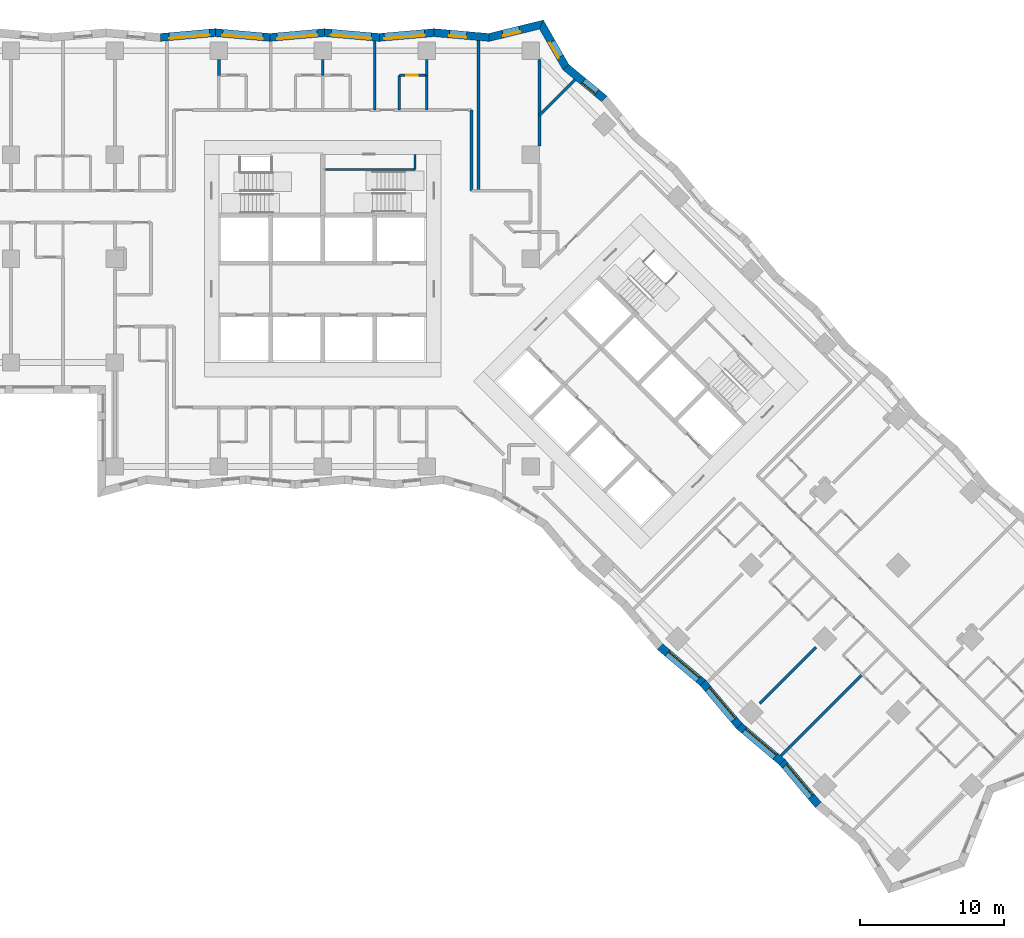
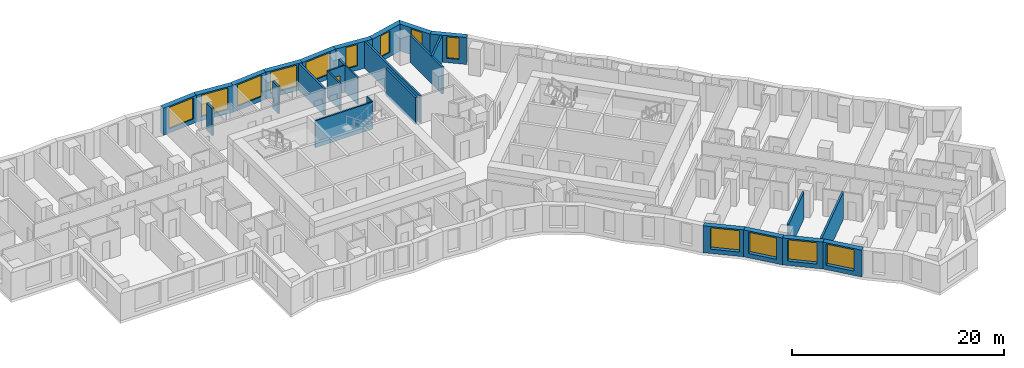
# One storey, part 7 of 13: 28 walls, 13 windows, 1 door, 14 openings.
"""IFC4 building model written with IfcOpenShell, lengths in metres."""

from ifc_helpers import new_model, si_unit, direction, frame, frame_2d, origin, place, context, subcontext, project, spatial, polyline, rectangle, outline, extrude, material, layer, layer_set, type_object, element, fill, save


model = new_model("IFC4")

# Units and contexts
model_context = context("Model", 3, precision=1e-05, world=origin(), true_north=direction((0.0, 1.0)))
body_context = subcontext(model_context, "Body", "Model", "MODEL_VIEW")
ifc_project = project(units=[si_unit("LENGTHUNIT", "METRE"), si_unit("AREAUNIT", "SQUARE_METRE"), si_unit("VOLUMEUNIT", "CUBIC_METRE"), si_unit("PLANEANGLEUNIT", "RADIAN"), si_unit("MASSUNIT", "GRAM", prefix="KILO")], contexts=[model_context])

# Site, building, storey
site_placement = place(None, origin())
site = spatial("IfcSite", under=ifc_project, at=site_placement, CompositionType="ELEMENT")
building_placement = place(site_placement, origin())
building = spatial("IfcBuilding", under=site, at=building_placement, Name="Windrow Commons", CompositionType="ELEMENT")
storey_placement = place(building_placement, frame((0.0, 0.0, 30.4)))
storey = spatial("IfcBuildingStorey", under=building, at=storey_placement, Name="L07", CompositionType="ELEMENT", Elevation=30.4)

# Wall, opening, window
ifc_material_1 = material(Name="Brick masonry, red clay brick", Category="masonry")
ifc_layer_1 = layer(ifc_material_1, 0.55)
ifc_layer_set_1 = layer_set([ifc_layer_1], Name="Brick facade wall 550")
wall_type_1 = type_object("IfcWallType", Name="Brick facade wall 550", PredefinedType="SOLIDWALL", material=ifc_layer_set_1)
wall_1_placement = place(storey_placement, frame((84.3136, 68.6594, 0.0), z_axis=(0.0, 0.0, 1.0), x_axis=(-0.7715607103, 0.6361556966, 0.0)))
wall_1 = element("IfcWall", 1, at=wall_1_placement, inside=storey, type_object=wall_type_1, Name="Brick facade wall L07 21", PredefinedType="SOLIDWALL", context=body_context, shape_type="SweptSolid", body=[
    extrude(outline(polyline([(-0.0265, -0.275), (3.4195, -0.275), (3.5198, 0.275), (0.0265, 0.275), (-0.0265, -0.275)])), origin(), (0.0, 0.0, 1.0), 3.1),
])
opening_1_placement = place(wall_1_placement, frame((0.7077, 0.0, 0.5)))
opening_1 = element("IfcOpeningElement", 2, at=opening_1_placement, cuts=wall_1, Name="Opening W7D", PredefinedType="OPENING", context=body_context, shape_type="SweptSolid", body=[
    extrude(rectangle(XDim=1.2, YDim=2.45, at=frame_2d((0.6, 1.225))), frame((0.0, 0.285, 0.0), z_axis=(0.0, -1.0, 0.0), x_axis=(1.0, 0.0, 0.0)), (0.0, 0.0, 1.0), 0.57),
])
ifc_material_2 = material(Name="Clear float glass in anodised aluminium frame", Category="aluminium")
window_type_1 = type_object("IfcWindowType", Name="Window W7 notch 1200x2450", PartitioningType="SINGLE_PANEL", PredefinedType="WINDOW", material=ifc_material_2)
window_1_placement = place(opening_1_placement, origin())
window_1 = element("IfcWindow", 3, at=window_1_placement, inside=storey, type_object=window_type_1, Name="Window L07 21.1", OverallHeight=2.45, OverallWidth=1.2, PartitioningType="SINGLE_PANEL", PredefinedType="WINDOW", context=body_context, shape_type="SweptSolid", body=[
    extrude(rectangle(XDim=1.2, YDim=2.45, at=frame_2d((0.6, 1.225))), frame((0.0, 0.155, 0.0), z_axis=(0.0, -1.0, 0.0), x_axis=(1.0, 0.0, 0.0)), (0.0, 0.0, 1.0), 0.06),
])
fill(opening_1, window_1)

wall_2_placement = place(storey_placement, frame((81.6366, 70.8666, 0.0), z_axis=(0.0, 0.0, 1.0), x_axis=(-0.497425467, 0.8675067174, 0.0)))
wall_2 = element("IfcWall", 4, at=wall_2_placement, inside=storey, type_object=wall_type_1, Name="Brick facade wall L07 22", PredefinedType="SOLIDWALL", context=body_context, shape_type="SweptSolid", body=[
    extrude(outline(polyline([(0.0501, -0.275), (3.6041, -0.275), (3.1899, 0.275), (-0.0501, 0.275), (0.0501, -0.275)])), origin(), (0.0, 0.0, 1.0), 3.1),
])
opening_2_placement = place(wall_2_placement, frame((0.8077, 0.0, 0.5)))
opening_2 = element("IfcOpeningElement", 5, at=opening_2_placement, cuts=wall_2, Name="Opening W7D", PredefinedType="OPENING", context=body_context, shape_type="SweptSolid", body=[
    extrude(rectangle(XDim=1.2, YDim=2.45, at=frame_2d((0.6, 1.225))), frame((0.0, 0.285, 0.0), z_axis=(0.0, -1.0, 0.0), x_axis=(1.0, 0.0, 0.0)), (0.0, 0.0, 1.0), 0.57),
])
window_2_placement = place(opening_2_placement, origin())
window_2 = element("IfcWindow", 6, at=window_2_placement, inside=storey, type_object=window_type_1, Name="Window L07 22.1", OverallHeight=2.45, OverallWidth=1.2, PartitioningType="SINGLE_PANEL", PredefinedType="WINDOW", context=body_context, shape_type="SweptSolid", body=[
    extrude(rectangle(XDim=1.2, YDim=2.45, at=frame_2d((0.6, 1.225))), frame((0.0, 0.155, 0.0), z_axis=(0.0, -1.0, 0.0), x_axis=(1.0, 0.0, 0.0)), (0.0, 0.0, 1.0), 0.06),
])
fill(opening_2, window_2)

wall_3_placement = place(storey_placement, frame((79.9468, 73.8136, 0.0), z_axis=(0.0, 0.0, 1.0), x_axis=(-0.9711610885, -0.2384242862, 0.0)))
wall_3 = element("IfcWall", 7, at=wall_3_placement, inside=storey, type_object=wall_type_1, Name="Brick facade wall L07 23", PredefinedType="SOLIDWALL", context=body_context, shape_type="SweptSolid", body=[
    extrude(outline(polyline([(-0.2071, -0.275), (3.6937, -0.275), (3.7846, 0.275), (0.2071, 0.275), (-0.2071, -0.275)])), origin(), (0.0, 0.0, 1.0), 3.1),
])
opening_3_placement = place(wall_3_placement, frame((1.554, 0.0, 0.5)))
opening_3 = element("IfcOpeningElement", 8, at=opening_3_placement, cuts=wall_3, Name="Opening W7D", PredefinedType="OPENING", context=body_context, shape_type="SweptSolid", body=[
    extrude(rectangle(XDim=1.2, YDim=2.45, at=frame_2d((0.6, 1.225))), frame((0.0, 0.285, 0.0), z_axis=(0.0, -1.0, 0.0), x_axis=(1.0, 0.0, 0.0)), (0.0, 0.0, 1.0), 0.57),
])
window_3_placement = place(opening_3_placement, origin())
window_3 = element("IfcWindow", 9, at=window_3_placement, inside=storey, type_object=window_type_1, Name="Window L07 23.1", OverallHeight=2.45, OverallWidth=1.2, PartitioningType="SINGLE_PANEL", PredefinedType="WINDOW", context=body_context, shape_type="SweptSolid", body=[
    extrude(rectangle(XDim=1.2, YDim=2.45, at=frame_2d((0.6, 1.225))), frame((0.0, 0.155, 0.0), z_axis=(0.0, -1.0, 0.0), x_axis=(1.0, 0.0, 0.0)), (0.0, 0.0, 1.0), 0.06),
])
fill(opening_3, window_3)

wall_4_placement = place(storey_placement, frame((76.3155, 72.9221, 0.0), z_axis=(0.0, 0.0, 1.0), x_axis=(-0.9962265436, 0.0867909782, 0.0)))
wall_4 = element("IfcWall", 10, at=wall_4_placement, inside=storey, type_object=wall_type_1, Name="Brick facade wall L07 24", PredefinedType="SOLIDWALL", context=body_context, shape_type="SweptSolid", body=[
    extrude(outline(polyline([(0.0455, -0.275), (3.8481, -0.275), (3.8002, 0.275), (-0.0455, 0.275), (0.0455, -0.275)])), origin(), (0.0, 0.0, 1.0), 3.1),
])
opening_4_placement = place(wall_4_placement, frame((1.5592, 0.0, 0.5)))
opening_4 = element("IfcOpeningElement", 11, at=opening_4_placement, cuts=wall_4, Name="Opening W7D", PredefinedType="OPENING", context=body_context, shape_type="SweptSolid", body=[
    extrude(rectangle(XDim=1.2, YDim=2.45, at=frame_2d((0.6, 1.225))), frame((0.0, 0.285, 0.0), z_axis=(0.0, -1.0, 0.0), x_axis=(1.0, 0.0, 0.0)), (0.0, 0.0, 1.0), 0.57),
])
window_4_placement = place(opening_4_placement, origin())
window_4 = element("IfcWindow", 12, at=window_4_placement, inside=storey, type_object=window_type_1, Name="Window L07 24.1", OverallHeight=2.45, OverallWidth=1.2, PartitioningType="SINGLE_PANEL", PredefinedType="WINDOW", context=body_context, shape_type="SweptSolid", body=[
    extrude(rectangle(XDim=1.2, YDim=2.45, at=frame_2d((0.6, 1.225))), frame((0.0, 0.155, 0.0), z_axis=(0.0, -1.0, 0.0), x_axis=(1.0, 0.0, 0.0)), (0.0, 0.0, 1.0), 0.06),
])
fill(opening_4, window_4)

wall_5_placement = place(storey_placement, frame((72.5058, 73.254, 0.0), z_axis=(0.0, 0.0, 1.0), x_axis=(-0.9962273538, -0.0867816769, 0.0)))
wall_5 = element("IfcWall", 13, at=wall_5_placement, inside=storey, type_object=wall_type_1, Name="Brick facade wall L07 25", PredefinedType="SOLIDWALL", context=body_context, shape_type="SweptSolid", body=[
    extrude(outline(polyline([(-0.024, -0.275), (3.7787, -0.275), (3.8266, 0.275), (0.024, 0.275), (-0.024, -0.275)])), origin(), (0.0, 0.0, 1.0), 3.1),
])
opening_5_placement = place(wall_5_placement, frame((0.6552, 0.0, 0.5)))
opening_5 = element("IfcOpeningElement", 14, at=opening_5_placement, cuts=wall_5, Name="Opening W1T", PredefinedType="OPENING", context=body_context, shape_type="SweptSolid", body=[
    extrude(rectangle(XDim=2.8, YDim=2.45, at=frame_2d((1.4, 1.225))), frame((0.0, 0.285, 0.0), z_axis=(0.0, -1.0, 0.0), x_axis=(1.0, 0.0, 0.0)), (0.0, 0.0, 1.0), 0.57),
])
ifc_material_3 = material(Name="Clear float glass in anodised aluminium frame", Category="aluminium")
window_type_2 = type_object("IfcWindowType", Name="Window W1T bedroom 2800x2450", PartitioningType="SINGLE_PANEL", PredefinedType="WINDOW", material=ifc_material_3)
window_5_placement = place(opening_5_placement, origin())
window_5 = element("IfcWindow", 15, at=window_5_placement, inside=storey, type_object=window_type_2, Name="Window L07 25.1", OverallHeight=2.45, OverallWidth=2.8, PartitioningType="SINGLE_PANEL", PredefinedType="WINDOW", context=body_context, shape_type="SweptSolid", body=[
    extrude(rectangle(XDim=2.8, YDim=2.45, at=frame_2d((1.4, 1.225))), frame((0.0, 0.155, 0.0), z_axis=(0.0, -1.0, 0.0), x_axis=(1.0, 0.0, 0.0)), (0.0, 0.0, 1.0), 0.06),
])
fill(opening_5, window_5)

wall_6_placement = place(storey_placement, frame((68.7175, 72.924, 0.0), z_axis=(0.0, 0.0, 1.0), x_axis=(-0.9962273538, 0.0867816769, 0.0)))
wall_6 = element("IfcWall", 16, at=wall_6_placement, inside=storey, type_object=wall_type_1, Name="Brick facade wall L07 26", PredefinedType="SOLIDWALL", context=body_context, shape_type="SweptSolid", body=[
    extrude(outline(polyline([(0.024, -0.275), (3.8266, -0.275), (3.7787, 0.275), (-0.024, 0.275), (0.024, -0.275)])), origin(), (0.0, 0.0, 1.0), 3.1),
])
opening_6_placement = place(wall_6_placement, frame((0.5487, 0.0, 0.5)))
opening_6 = element("IfcOpeningElement", 17, at=opening_6_placement, cuts=wall_6, Name="Opening W1T", PredefinedType="OPENING", context=body_context, shape_type="SweptSolid", body=[
    extrude(rectangle(XDim=2.8, YDim=2.45, at=frame_2d((1.4, 1.225))), frame((0.0, 0.285, 0.0), z_axis=(0.0, -1.0, 0.0), x_axis=(1.0, 0.0, 0.0)), (0.0, 0.0, 1.0), 0.57),
])
window_6_placement = place(opening_6_placement, origin())
window_6 = element("IfcWindow", 18, at=window_6_placement, inside=storey, type_object=window_type_2, Name="Window L07 26.1", OverallHeight=2.45, OverallWidth=2.8, PartitioningType="SINGLE_PANEL", PredefinedType="WINDOW", context=body_context, shape_type="SweptSolid", body=[
    extrude(rectangle(XDim=2.8, YDim=2.45, at=frame_2d((1.4, 1.225))), frame((0.0, 0.155, 0.0), z_axis=(0.0, -1.0, 0.0), x_axis=(1.0, 0.0, 0.0)), (0.0, 0.0, 1.0), 0.06),
])
fill(opening_6, window_6)

wall_7_placement = place(storey_placement, frame((64.9292, 73.254, 0.0), z_axis=(0.0, 0.0, 1.0), x_axis=(-0.9962271558, -0.0867839505, 0.0)))
wall_7 = element("IfcWall", 19, at=wall_7_placement, inside=storey, type_object=wall_type_1, Name="Brick facade wall L07 27", PredefinedType="SOLIDWALL", context=body_context, shape_type="SweptSolid", body=[
    extrude(outline(polyline([(-0.024, -0.275), (3.7787, -0.275), (3.8266, 0.275), (0.024, 0.275), (-0.024, -0.275)])), origin(), (0.0, 0.0, 1.0), 3.1),
])
opening_7_placement = place(wall_7_placement, frame((0.5133, 0.0, 0.5)))
opening_7 = element("IfcOpeningElement", 20, at=opening_7_placement, cuts=wall_7, Name="Opening W1T", PredefinedType="OPENING", context=body_context, shape_type="SweptSolid", body=[
    extrude(rectangle(XDim=2.8, YDim=2.45, at=frame_2d((1.4, 1.225))), frame((0.0, 0.285, 0.0), z_axis=(0.0, -1.0, 0.0), x_axis=(1.0, 0.0, 0.0)), (0.0, 0.0, 1.0), 0.57),
])
window_7_placement = place(opening_7_placement, origin())
window_7 = element("IfcWindow", 21, at=window_7_placement, inside=storey, type_object=window_type_2, Name="Window L07 27.1", OverallHeight=2.45, OverallWidth=2.8, PartitioningType="SINGLE_PANEL", PredefinedType="WINDOW", context=body_context, shape_type="SweptSolid", body=[
    extrude(rectangle(XDim=2.8, YDim=2.45, at=frame_2d((1.4, 1.225))), frame((0.0, 0.155, 0.0), z_axis=(0.0, -1.0, 0.0), x_axis=(1.0, 0.0, 0.0)), (0.0, 0.0, 1.0), 0.06),
])
fill(opening_7, window_7)

wall_8_placement = place(storey_placement, frame((61.141, 72.924, 0.0), z_axis=(0.0, 0.0, 1.0), x_axis=(-0.9962273538, 0.0867816769, 0.0)))
wall_8 = element("IfcWall", 22, at=wall_8_placement, inside=storey, type_object=wall_type_1, Name="Brick facade wall L07 28", PredefinedType="SOLIDWALL", context=body_context, shape_type="SweptSolid", body=[
    extrude(outline(polyline([(0.024, -0.275), (3.8266, -0.275), (3.7787, 0.275), (-0.024, 0.275), (0.024, -0.275)])), origin(), (0.0, 0.0, 1.0), 3.1),
])
opening_8_placement = place(wall_8_placement, frame((0.4893, 0.0, 0.5)))
opening_8 = element("IfcOpeningElement", 23, at=opening_8_placement, cuts=wall_8, Name="Opening W1T", PredefinedType="OPENING", context=body_context, shape_type="SweptSolid", body=[
    extrude(rectangle(XDim=2.8, YDim=2.45, at=frame_2d((1.4, 1.225))), frame((0.0, 0.285, 0.0), z_axis=(0.0, -1.0, 0.0), x_axis=(1.0, 0.0, 0.0)), (0.0, 0.0, 1.0), 0.57),
])
window_8_placement = place(opening_8_placement, origin())
window_8 = element("IfcWindow", 24, at=window_8_placement, inside=storey, type_object=window_type_2, Name="Window L07 28.1", OverallHeight=2.45, OverallWidth=2.8, PartitioningType="SINGLE_PANEL", PredefinedType="WINDOW", context=body_context, shape_type="SweptSolid", body=[
    extrude(rectangle(XDim=2.8, YDim=2.45, at=frame_2d((1.4, 1.225))), frame((0.0, 0.155, 0.0), z_axis=(0.0, -1.0, 0.0), x_axis=(1.0, 0.0, 0.0)), (0.0, 0.0, 1.0), 0.06),
])
fill(opening_8, window_8)

wall_9_placement = place(storey_placement, frame((57.3527, 73.254, 0.0), z_axis=(0.0, 0.0, 1.0), x_axis=(-0.9962273538, -0.0867816769, 0.0)))
wall_9 = element("IfcWall", 25, at=wall_9_placement, inside=storey, type_object=wall_type_1, Name="Brick facade wall L07 29", PredefinedType="SOLIDWALL", context=body_context, shape_type="SweptSolid", body=[
    extrude(outline(polyline([(-0.024, -0.275), (3.7787, -0.275), (3.8266, 0.275), (0.024, 0.275), (-0.024, -0.275)])), origin(), (0.0, 0.0, 1.0), 3.1),
])
opening_9_placement = place(wall_9_placement, frame((0.3947, 0.0, 0.5)))
opening_9 = element("IfcOpeningElement", 26, at=opening_9_placement, cuts=wall_9, Name="Opening W1T", PredefinedType="OPENING", context=body_context, shape_type="SweptSolid", body=[
    extrude(rectangle(XDim=2.8, YDim=2.45, at=frame_2d((1.4, 1.225))), frame((0.0, 0.285, 0.0), z_axis=(0.0, -1.0, 0.0), x_axis=(1.0, 0.0, 0.0)), (0.0, 0.0, 1.0), 0.57),
])
window_9_placement = place(opening_9_placement, origin())
window_9 = element("IfcWindow", 27, at=window_9_placement, inside=storey, type_object=window_type_2, Name="Window L07 29.1", OverallHeight=2.45, OverallWidth=2.8, PartitioningType="SINGLE_PANEL", PredefinedType="WINDOW", context=body_context, shape_type="SweptSolid", body=[
    extrude(rectangle(XDim=2.8, YDim=2.45, at=frame_2d((1.4, 1.225))), frame((0.0, 0.155, 0.0), z_axis=(0.0, -1.0, 0.0), x_axis=(1.0, 0.0, 0.0)), (0.0, 0.0, 1.0), 0.06),
])
fill(opening_9, window_9)

wall_10_placement = place(storey_placement, frame((88.1611, 30.7184, 0.0), z_axis=(0.0, 0.0, 1.0), x_axis=(0.7645046987, -0.6446181549, 0.0)))
wall_10 = element("IfcWall", 28, at=wall_10_placement, inside=storey, type_object=wall_type_1, Name="Brick facade wall L07 58", PredefinedType="SOLIDWALL", context=body_context, shape_type="SweptSolid", body=[
    extrude(outline(polyline([(-0.0234, -0.275), (3.8695, -0.275), (3.9162, 0.275), (0.0234, 0.275), (-0.0234, -0.275)])), origin(), (0.0, 0.0, 1.0), 3.1),
])
opening_10_placement = place(wall_10_placement, frame((0.6838, 0.0, 0.5)))
opening_10 = element("IfcOpeningElement", 29, at=opening_10_placement, cuts=wall_10, Name="Opening W1T", PredefinedType="OPENING", context=body_context, shape_type="SweptSolid", body=[
    extrude(rectangle(XDim=2.8, YDim=2.45, at=frame_2d((1.4, 1.225))), frame((0.0, 0.285, 0.0), z_axis=(0.0, -1.0, 0.0), x_axis=(1.0, 0.0, 0.0)), (0.0, 0.0, 1.0), 0.57),
])
window_10_placement = place(opening_10_placement, origin())
window_10 = element("IfcWindow", 30, at=window_10_placement, inside=storey, type_object=window_type_2, Name="Window L07 58.1", OverallHeight=2.45, OverallWidth=2.8, PartitioningType="SINGLE_PANEL", PredefinedType="WINDOW", context=body_context, shape_type="SweptSolid", body=[
    extrude(rectangle(XDim=2.8, YDim=2.45, at=frame_2d((1.4, 1.225))), frame((0.0, 0.155, 0.0), z_axis=(0.0, -1.0, 0.0), x_axis=(1.0, 0.0, 0.0)), (0.0, 0.0, 1.0), 0.06),
])
fill(opening_10, window_10)

wall_11_placement = place(storey_placement, frame((91.1372, 28.209, 0.0), z_axis=(0.0, 0.0, 1.0), x_axis=(0.6446181549, -0.7645046987, 0.0)))
wall_11 = element("IfcWall", 31, at=wall_11_placement, inside=storey, type_object=wall_type_1, Name="Brick facade wall L07 59", PredefinedType="SOLIDWALL", context=body_context, shape_type="SweptSolid", body=[
    extrude(outline(polyline([(0.0234, -0.275), (3.9162, -0.275), (3.8695, 0.275), (-0.0234, 0.275), (0.0234, -0.275)])), origin(), (0.0, 0.0, 1.0), 3.1),
])
opening_11_placement = place(wall_11_placement, frame((0.5347, 0.0, 0.5)))
opening_11 = element("IfcOpeningElement", 32, at=opening_11_placement, cuts=wall_11, Name="Opening W1T", PredefinedType="OPENING", context=body_context, shape_type="SweptSolid", body=[
    extrude(rectangle(XDim=2.8, YDim=2.45, at=frame_2d((1.4, 1.225))), frame((0.0, 0.285, 0.0), z_axis=(0.0, -1.0, 0.0), x_axis=(1.0, 0.0, 0.0)), (0.0, 0.0, 1.0), 0.57),
])
window_11_placement = place(opening_11_placement, origin())
window_11 = element("IfcWindow", 33, at=window_11_placement, inside=storey, type_object=window_type_2, Name="Window L07 59.1", OverallHeight=2.45, OverallWidth=2.8, PartitioningType="SINGLE_PANEL", PredefinedType="WINDOW", context=body_context, shape_type="SweptSolid", body=[
    extrude(rectangle(XDim=2.8, YDim=2.45, at=frame_2d((1.4, 1.225))), frame((0.0, 0.155, 0.0), z_axis=(0.0, -1.0, 0.0), x_axis=(1.0, 0.0, 0.0)), (0.0, 0.0, 1.0), 0.06),
])
fill(opening_11, window_11)

wall_12_placement = place(storey_placement, frame((93.6466, 25.2329, 0.0), z_axis=(0.0, 0.0, 1.0), x_axis=(0.7645046987, -0.6446181549, 0.0)))
wall_12 = element("IfcWall", 34, at=wall_12_placement, inside=storey, type_object=wall_type_1, Name="Brick facade wall L07 60", PredefinedType="SOLIDWALL", context=body_context, shape_type="SweptSolid", body=[
    extrude(outline(polyline([(-0.0234, -0.275), (3.8695, -0.275), (3.9162, 0.275), (0.0234, 0.275), (-0.0234, -0.275)])), origin(), (0.0, 0.0, 1.0), 3.1),
])
opening_12_placement = place(wall_12_placement, frame((0.4757, 0.0, 0.5)))
opening_12 = element("IfcOpeningElement", 35, at=opening_12_placement, cuts=wall_12, Name="Opening W1T", PredefinedType="OPENING", context=body_context, shape_type="SweptSolid", body=[
    extrude(rectangle(XDim=2.8, YDim=2.45, at=frame_2d((1.4, 1.225))), frame((0.0, 0.285, 0.0), z_axis=(0.0, -1.0, 0.0), x_axis=(1.0, 0.0, 0.0)), (0.0, 0.0, 1.0), 0.57),
])
window_12_placement = place(opening_12_placement, origin())
window_12 = element("IfcWindow", 36, at=window_12_placement, inside=storey, type_object=window_type_2, Name="Window L07 60.1", OverallHeight=2.45, OverallWidth=2.8, PartitioningType="SINGLE_PANEL", PredefinedType="WINDOW", context=body_context, shape_type="SweptSolid", body=[
    extrude(rectangle(XDim=2.8, YDim=2.45, at=frame_2d((1.4, 1.225))), frame((0.0, 0.155, 0.0), z_axis=(0.0, -1.0, 0.0), x_axis=(1.0, 0.0, 0.0)), (0.0, 0.0, 1.0), 0.06),
])
fill(opening_12, window_12)

wall_13_placement = place(storey_placement, frame((96.6227, 22.7235, 0.0), z_axis=(0.0, 0.0, 1.0), x_axis=(0.6446181549, -0.7645046987, 0.0)))
wall_13 = element("IfcWall", 37, at=wall_13_placement, inside=storey, type_object=wall_type_1, Name="Brick facade wall L07 61", PredefinedType="SOLIDWALL", context=body_context, shape_type="SweptSolid", body=[
    extrude(outline(polyline([(0.0234, -0.275), (3.9162, -0.275), (3.8695, 0.275), (-0.0234, 0.275), (0.0234, -0.275)])), origin(), (0.0, 0.0, 1.0), 3.1),
])
opening_13_placement = place(wall_13_placement, frame((0.3241, 0.0, 0.5)))
opening_13 = element("IfcOpeningElement", 38, at=opening_13_placement, cuts=wall_13, Name="Opening W1T", PredefinedType="OPENING", context=body_context, shape_type="SweptSolid", body=[
    extrude(rectangle(XDim=2.8, YDim=2.45, at=frame_2d((1.4, 1.225))), frame((0.0, 0.285, 0.0), z_axis=(0.0, -1.0, 0.0), x_axis=(1.0, 0.0, 0.0)), (0.0, 0.0, 1.0), 0.57),
])
window_13_placement = place(opening_13_placement, origin())
window_13 = element("IfcWindow", 39, at=window_13_placement, inside=storey, type_object=window_type_2, Name="Window L07 61.1", OverallHeight=2.45, OverallWidth=2.8, PartitioningType="SINGLE_PANEL", PredefinedType="WINDOW", context=body_context, shape_type="SweptSolid", body=[
    extrude(rectangle(XDim=2.8, YDim=2.45, at=frame_2d((1.4, 1.225))), frame((0.0, 0.155, 0.0), z_axis=(0.0, -1.0, 0.0), x_axis=(1.0, 0.0, 0.0)), (0.0, 0.0, 1.0), 0.06),
])
fill(opening_13, window_13)

# Walls
ifc_material_4 = material(Name="Blockwork partition", Category="masonry")
ifc_layer_2 = layer(ifc_material_4, 0.2)
ifc_layer_set_2 = layer_set([ifc_layer_2], Name="IW-CORRIDOR-200")
wall_type_2 = type_object("IfcWallType", Name="IW-CORRIDOR-200", PredefinedType="PARTITIONING", material=ifc_layer_set_2)
wall_14_placement = place(storey_placement, frame((75.1, 62.302, 0.0), z_axis=(0.0, 0.0, 1.0), x_axis=(0.0, 1.0, 0.0)))
element("IfcWall", 40, at=wall_14_placement, inside=storey, type_object=wall_type_2, Name="W-L07-W040", PredefinedType="PARTITIONING", context=body_context, shape_type="SweptSolid", body=[
    extrude(rectangle(XDim=5.598, YDim=0.2, at=frame_2d((2.799, 0.0))), origin(), (0.0, 0.0, 1.0), 3.1),
])
ifc_material_5 = material(Name="Blockwork partition", Category="masonry")
ifc_layer_3 = layer(ifc_material_5, 0.15)
ifc_layer_set_3 = layer_set([ifc_layer_3], Name="IW-ENSUITE-150")
wall_type_3 = type_object("IfcWallType", Name="IW-ENSUITE-150", PredefinedType="PARTITIONING", material=ifc_layer_set_3)
for number, where, z_axis, x_axis, name in (
    (41, (70.1, 67.9, 0.0), (0.0, 0.0, 1.0), (0.0, 1.0, 0.0), "W-L07-W113"),
    (42, (72.0, 67.9, 0.0), (0.0, 0.0, 1.0), (0.0, 1.0, 0.0), "W-L07-W114"),
):
    element("IfcWall", number, at=place(storey_placement, frame(where, z_axis=z_axis, x_axis=x_axis)), inside=storey, type_object=wall_type_3, Name=name, PredefinedType="PARTITIONING", context=body_context, shape_type="SweptSolid", body=[
        extrude(rectangle(XDim=2.4, YDim=0.15, at=frame_2d((1.2, 0.0))), origin(), (0.0, 0.0, 1.0), 3.1),
    ])

# Wall, opening, door
wall_15_placement = place(storey_placement, frame((70.1, 70.3, 0.0), z_axis=(0.0, 0.0, 1.0), x_axis=(1.0, 0.0, 0.0)))
wall_15 = element("IfcWall", 43, at=wall_15_placement, inside=storey, type_object=wall_type_3, Name="W-L07-W144", PredefinedType="PARTITIONING", context=body_context, shape_type="SweptSolid", body=[
    extrude(rectangle(XDim=1.9, YDim=0.15, at=frame_2d((0.95, 0.0))), origin(), (0.0, 0.0, 1.0), 3.1),
])
opening_14_placement = place(wall_15_placement, frame((0.4931, 0.0, 0.0)))
opening_14 = element("IfcOpeningElement", 44, at=opening_14_placement, cuts=wall_15, Name="Opening D208N", PredefinedType="OPENING", context=body_context, shape_type="SweptSolid", body=[
    extrude(rectangle(XDim=0.8, YDim=2.1, at=frame_2d((0.4, 1.05))), frame((0.0, 0.085, 0.0), z_axis=(0.0, -1.0, 0.0), x_axis=(1.0, 0.0, 0.0)), (0.0, 0.0, 1.0), 0.17),
])
ifc_material_6 = material(Name="Timber door leaf", Category="wood")
door_type = type_object("IfcDoorType", Name="DT-ENSUITE-800", OperationType="SINGLE_SWING_LEFT", PredefinedType="DOOR", material=ifc_material_6)
door_placement = place(opening_14_placement, origin())
door = element("IfcDoor", 45, at=door_placement, inside=storey, type_object=door_type, Name="D-L07-D038", OperationType="SINGLE_SWING_RIGHT", OverallHeight=2.1, OverallWidth=0.8, PredefinedType="DOOR", context=body_context, shape_type="SweptSolid", body=[
    extrude(rectangle(XDim=0.8, YDim=2.1, at=frame_2d((0.4, 1.05))), frame((0.0, 0.025, 0.0), z_axis=(0.0, -1.0, 0.0), x_axis=(1.0, 0.0, 0.0)), (0.0, 0.0, 1.0), 0.05),
])
fill(opening_14, door)

# Walls
ifc_material_7 = material(Name="Blockwork partition", Category="masonry")
ifc_layer_4 = layer(ifc_material_7, 0.2)
ifc_layer_set_4 = layer_set([ifc_layer_4], Name="IW-PARTY-200")
wall_type_4 = type_object("IfcWallType", Name="IW-PARTY-200", PredefinedType="PARTITIONING", material=ifc_layer_set_4)
wall_16_placement = place(storey_placement, frame((75.6, 62.3, 0.0), z_axis=(0.0, 0.0, 1.0), x_axis=(0.0, 1.0, 0.0)))
element("IfcWall", 46, at=wall_16_placement, inside=storey, type_object=wall_type_4, Name="W-L07-W008", PredefinedType="PARTITIONING", context=body_context, shape_type="SweptSolid", body=[
    extrude(rectangle(XDim=10.4084, YDim=0.2, at=frame_2d((5.2042, 0.0))), origin(), (0.0, 0.0, 1.0), 3.1),
])
wall_17_placement = place(storey_placement, frame((96.5381, 23.1546, 0.0), z_axis=(0.0, 0.0, 1.0), x_axis=(0.7071130469, 0.7071005154, 0.0)))
element("IfcWall", 47, at=wall_17_placement, inside=storey, type_object=wall_type_4, Name="W-L07-W021", PredefinedType="PARTITIONING", context=body_context, shape_type="SweptSolid", body=[
    extrude(rectangle(XDim=7.9799, YDim=0.2, at=frame_2d((3.9899, 0.0))), origin(), (0.0, 0.0, 1.0), 3.1),
])
wall_18_placement = place(storey_placement, frame((79.8, 65.4, 0.0), z_axis=(0.0, 0.0, 1.0), x_axis=(0.0, 1.0, 0.0)))
element("IfcWall", 48, at=wall_18_placement, inside=storey, type_object=wall_type_4, Name="W-L07-W035", PredefinedType="PARTITIONING", context=body_context, shape_type="SweptSolid", body=[
    extrude(rectangle(XDim=6.0, YDim=0.2, at=frame_2d((3.0, 0.0))), origin(), (0.0, 0.0, 1.0), 3.1),
])
wall_19_placement = place(storey_placement, frame((95.0732, 26.7808, 0.0), z_axis=(0.0, 0.0, 1.0), x_axis=(0.7071067812, 0.7071067812, 0.0)))
element("IfcWall", 49, at=wall_19_placement, inside=storey, type_object=wall_type_4, Name="W-L07-W046", PredefinedType="PARTITIONING", context=body_context, shape_type="SweptSolid", body=[
    extrude(rectangle(XDim=5.5013, YDim=0.2, at=frame_2d((2.7506, 0.0))), origin(), (0.0, 0.0, 1.0), 3.1),
])
wall_20_placement = place(storey_placement, frame((68.4, 67.9, 0.0), z_axis=(0.0, 0.0, 1.0), x_axis=(0.0, 1.0, 0.0)))
element("IfcWall", 50, at=wall_20_placement, inside=storey, type_object=wall_type_4, Name="W-L07-W053", PredefinedType="PARTITIONING", context=body_context, shape_type="SweptSolid", body=[
    extrude(rectangle(XDim=4.7756, YDim=0.2, at=frame_2d((2.3878, 0.0))), origin(), (0.0, 0.0, 1.0), 3.1),
])
wall_21_placement = place(storey_placement, frame((79.7988, 67.5092, 0.0), z_axis=(0.0, 0.0, 1.0), x_axis=(0.7070924981, 0.707121064, 0.0)))
element("IfcWall", 51, at=wall_21_placement, inside=storey, type_object=wall_type_4, Name="W-L07-W066", PredefinedType="PARTITIONING", context=body_context, shape_type="SweptSolid", body=[
    extrude(rectangle(XDim=3.5007, YDim=0.2, at=frame_2d((1.7504, 0.0))), origin(), (0.0, 0.0, 1.0), 3.1),
])
for number, where, z_axis, x_axis, name in (
    (52, (57.6, 70.3, 0.0), (0.0, 0.0, 1.0), (0.0, 1.0, 0.0), "W-L07-W181"),
    (53, (64.8, 70.3, 0.0), (0.0, 0.0, 1.0), (0.0, 1.0, 0.0), "W-L07-W182"),
    (54, (72.0, 70.3, 0.0), (0.0, 0.0, 1.0), (0.0, 1.0, 0.0), "W-L07-W183"),
):
    element("IfcWall", number, at=place(storey_placement, frame(where, z_axis=z_axis, x_axis=x_axis)), inside=storey, type_object=wall_type_4, Name=name, PredefinedType="PARTITIONING", context=body_context, shape_type="SweptSolid", body=[
        extrude(rectangle(XDim=1.1, YDim=0.2, at=frame_2d((0.55, 0.0))), origin(), (0.0, 0.0, 1.0), 3.1),
    ])
ifc_material_8 = material(Name="Blockwork partition", Category="masonry")
ifc_layer_5 = layer(ifc_material_8, 0.15)
ifc_layer_set_5 = layer_set([ifc_layer_5], Name="Riser partition 150")
wall_type_5 = type_object("IfcWallType", Name="Riser partition 150", PredefinedType="PARTITIONING", material=ifc_layer_set_5)
wall_22_placement = place(storey_placement, frame((64.95, 63.78, 0.0), z_axis=(0.0, 0.0, 1.0), x_axis=(1.0, 0.0, 0.0)))
element("IfcWall", 55, at=wall_22_placement, inside=storey, type_object=wall_type_5, Name="W-core-strip-A-L07", PredefinedType="PARTITIONING", context=body_context, shape_type="SweptSolid", body=[
    extrude(rectangle(XDim=6.25, YDim=0.15, at=frame_2d((3.125, 0.0))), origin(), (0.0, 0.0, 1.0), 3.1),
])
wall_23_placement = place(storey_placement, frame((71.2, 63.78, 0.0), z_axis=(0.0, 0.0, 1.0), x_axis=(0.0, 1.0, 0.0)))
element("IfcWall", 56, at=wall_23_placement, inside=storey, type_object=wall_type_5, Name="W-core-stripx-A-L07-1", PredefinedType="PARTITIONING", context=body_context, shape_type="SweptSolid", body=[
    extrude(rectangle(XDim=1.02, YDim=0.15, at=frame_2d((0.51, 0.0))), origin(), (0.0, 0.0, 1.0), 3.1),
])

save(model, "model.ifc")
